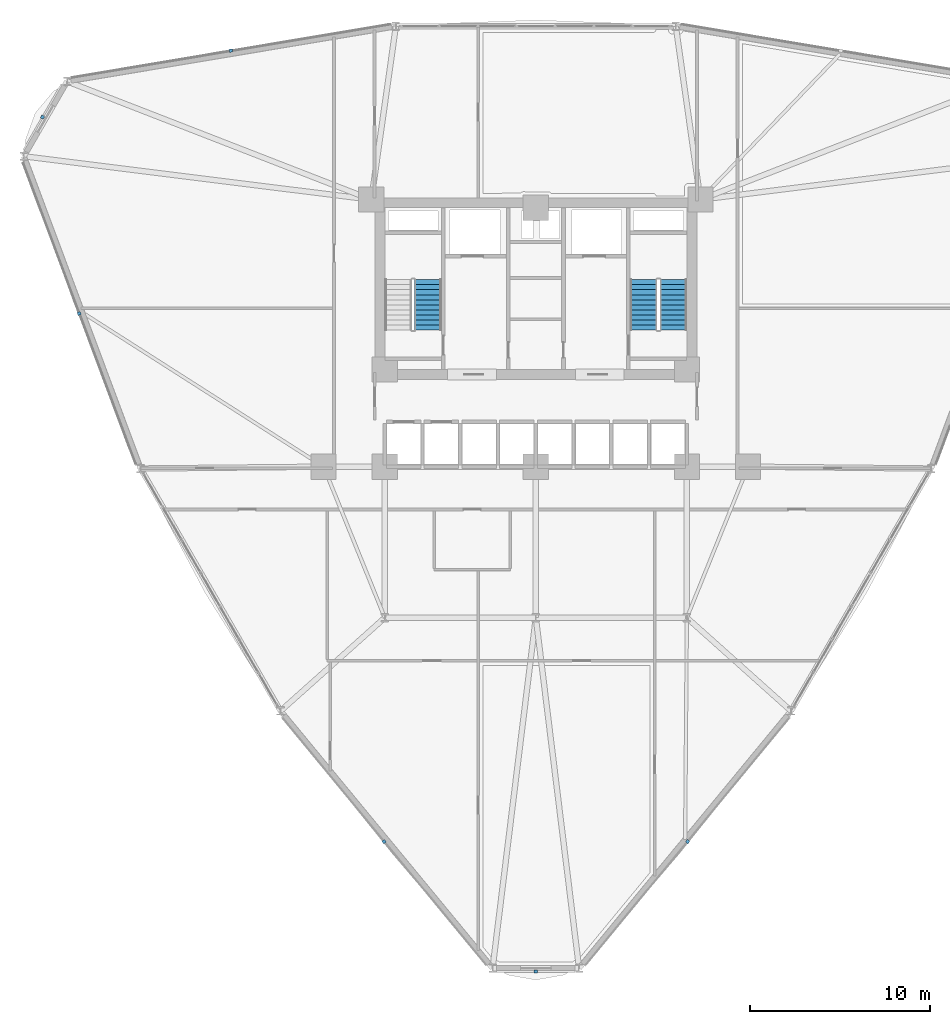
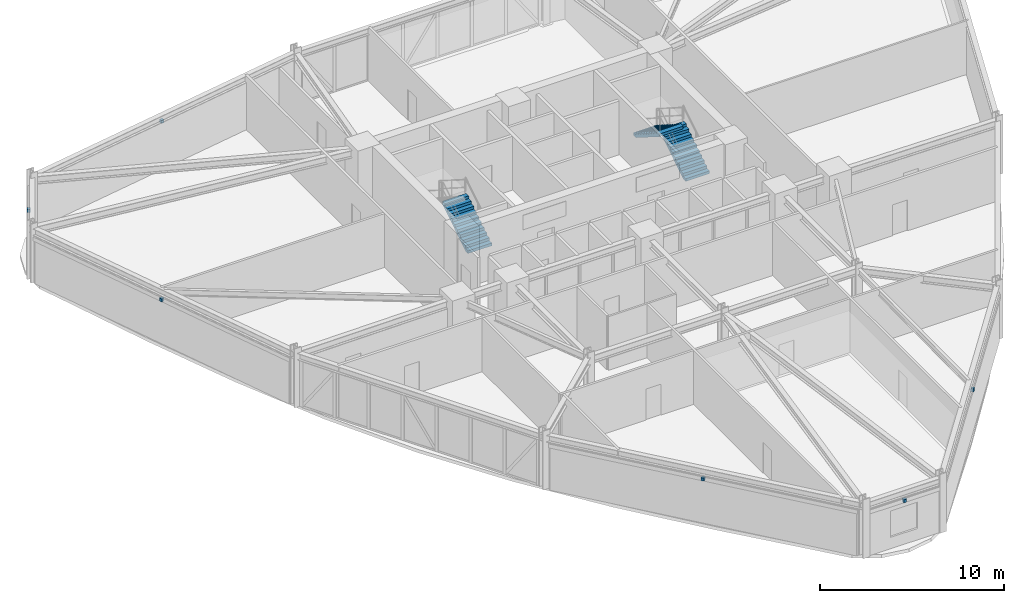
# One storey, part 18 of 22: 6 discrete accessories, 3 stair flights, 2 elements without a shape of their own.
"""IFC4 building model written with IfcOpenShell, lengths in metres."""

from ifc_helpers import new_model, si_unit, derived_unit, direction, frame, origin, origin_2d, place, context, subcontext, project, spatial, polyline, rectangle, outline, extrude, source, transform, mapped, material, type_object, element, aggregate, save


model = new_model("IFC4")

# Units and contexts
model_context = context("Model", 3, precision=1e-05, world=origin(), true_north=direction((0.0, 1.0)))
body_context = subcontext(model_context, "Body", "Model", "MODEL_VIEW")
ifc_project = project(units=[si_unit("LENGTHUNIT", "METRE"), si_unit("AREAUNIT", "SQUARE_METRE"), si_unit("VOLUMEUNIT", "CUBIC_METRE"), si_unit("PLANEANGLEUNIT", "RADIAN"), si_unit("MASSUNIT", "GRAM", prefix="KILO"), derived_unit("THERMALTRANSMITTANCEUNIT", [(si_unit("POWERUNIT", "WATT"), 1), (si_unit("LENGTHUNIT", "METRE"), -2), (si_unit("THERMODYNAMICTEMPERATUREUNIT", "KELVIN"), -1)])], contexts=[model_context])

# Site, building, storey
site_placement = place(None, origin())
site = spatial("IfcSite", under=ifc_project, at=site_placement, CompositionType="ELEMENT")
building_placement = place(site_placement, origin())
building = spatial("IfcBuilding", under=site, at=building_placement, Name="Korsvarv Bourse and Concert Hall", CompositionType="ELEMENT")
storey_placement = place(building_placement, frame((0.0, 0.0, 55.199951171875)))
storey = spatial("IfcBuildingStorey", under=building, at=storey_placement, Name="L13", CompositionType="ELEMENT", Elevation=55.199951171875)

# Stair, stair flight
ifc_material_1 = material(Name="Precast concrete C45/55", Category="concrete")
stair_type = type_object("IfcStairType", Name="STR-TYPE-03", PredefinedType="HALF_TURN_STAIR", material=ifc_material_1)
stair_1_placement = place(storey_placement, origin())
stair_1 = element("IfcStair", 1, at=stair_1_placement, inside=storey, type_object=stair_type, Name="L13 Tower West Exit Stair ST-T1", PredefinedType="HALF_TURN_STAIR")
stair_flight_type = type_object("IfcStairFlightType", Name="FLT-TYPE-03", PredefinedType="STRAIGHT", material=ifc_material_1)
stair_flight_1_placement = place(storey_placement, frame((30.010009765625, 40.0, 0.0), z_axis=(0.0, 0.0, 1.0), x_axis=(0.0, 1.0, 0.0)))
stair_flight_1 = element("IfcStairFlight", 2, at=stair_flight_1_placement, type_object=stair_flight_type, Name="ST-T1 flight 1", NumberOfRisers=11, NumberOfTreads=10, PredefinedType="STRAIGHT", RiserHeight=0.177272727, TreadLength=0.28, context=body_context, shape_type="SweptSolid", body=[
    extrude(outline(polyline([(0.0, 0.0), (0.0, 0.17724609375), (0.280029296875, 0.17724609375), (0.280029296875, 0.3544921875), (0.56005859375, 0.3544921875), (0.56005859375, 0.53173828125), (0.840087890625, 0.53173828125), (0.840087890625, 0.708984375), (1.1201171875, 0.708984375), (1.1201171875, 0.886474609375), (1.39990234375, 0.886474609375), (1.39990234375, 1.063720703125), (1.679931640625, 1.063720703125), (1.679931640625, 1.240966796875), (1.9599609375, 1.240966796875), (1.9599609375, 1.418212890625), (2.239990234375, 1.418212890625), (2.239990234375, 1.595458984375), (2.52001953125, 1.595458984375), (2.52001953125, 1.772705078125), (2.800048828125, 1.772705078125), (2.800048828125, 1.949951171875), (2.800048828125, 1.59521484375), (0.2802734375, 0.0), (0.0, 0.0)])), frame((0.0, 0.75, 0.0), z_axis=(0.0, -1.0, 0.0), x_axis=(1.0, 0.0, 0.0)), (0.0, 0.0, 1.0), 1.5),
])
aggregate(stair_1, [stair_flight_1])

# Stair, stair flights
stair_2_placement = place(storey_placement, origin())
stair_2 = element("IfcStair", 3, at=stair_2_placement, inside=storey, type_object=stair_type, Name="L13 Tower East Exit Stair ST-T2", PredefinedType="HALF_TURN_STAIR")
stair_flight_2_placement = place(storey_placement, frame((43.64990234375, 40.0, 0.0), z_axis=(0.0, 0.0, 1.0), x_axis=(0.0, 1.0, 0.0)))
stair_flight_2 = element("IfcStairFlight", 4, at=stair_flight_2_placement, type_object=stair_flight_type, Name="ST-T2 flight 1", NumberOfRisers=11, NumberOfTreads=10, PredefinedType="STRAIGHT", RiserHeight=0.177272727, TreadLength=0.28, context=body_context, shape_type="SweptSolid", body=[
    extrude(outline(polyline([(0.0, 0.0), (0.0, 0.17724609375), (0.280029296875, 0.17724609375), (0.280029296875, 0.3544921875), (0.56005859375, 0.3544921875), (0.56005859375, 0.53173828125), (0.840087890625, 0.53173828125), (0.840087890625, 0.708984375), (1.1201171875, 0.708984375), (1.1201171875, 0.886474609375), (1.39990234375, 0.886474609375), (1.39990234375, 1.063720703125), (1.679931640625, 1.063720703125), (1.679931640625, 1.240966796875), (1.9599609375, 1.240966796875), (1.9599609375, 1.418212890625), (2.239990234375, 1.418212890625), (2.239990234375, 1.595458984375), (2.52001953125, 1.595458984375), (2.52001953125, 1.772705078125), (2.800048828125, 1.772705078125), (2.800048828125, 1.949951171875), (2.800048828125, 1.59521484375), (0.2802734375, 0.0), (0.0, 0.0)])), frame((0.0, 0.75, 0.0), z_axis=(0.0, -1.0, 0.0), x_axis=(1.0, 0.0, 0.0)), (0.0, 0.0, 1.0), 1.5),
])
stair_flight_3_placement = place(storey_placement, frame((41.989990234375, 42.800048828125, 1.949951171875), z_axis=(0.0, 0.0, 1.0), x_axis=(0.0, -1.0, 0.0)))
stair_flight_3 = element("IfcStairFlight", 5, at=stair_flight_3_placement, type_object=stair_flight_type, Name="ST-T2 flight 2", NumberOfRisers=11, NumberOfTreads=10, PredefinedType="STRAIGHT", RiserHeight=0.177272727, TreadLength=0.28, context=body_context, shape_type="SweptSolid", body=[
    extrude(outline(polyline([(0.0, 0.0), (0.0, 0.17724609375), (0.280029296875, 0.17724609375), (0.280029296875, 0.3544921875), (0.56005859375, 0.3544921875), (0.56005859375, 0.53173828125), (0.840087890625, 0.53173828125), (0.840087890625, 0.708984375), (1.1201171875, 0.708984375), (1.1201171875, 0.886474609375), (1.39990234375, 0.886474609375), (1.39990234375, 1.063720703125), (1.679931640625, 1.063720703125), (1.679931640625, 1.240966796875), (1.9599609375, 1.240966796875), (1.9599609375, 1.418212890625), (2.239990234375, 1.418212890625), (2.239990234375, 1.595458984375), (2.52001953125, 1.595458984375), (2.52001953125, 1.772705078125), (2.800048828125, 1.772705078125), (2.800048828125, 1.949951171875), (2.800048828125, 1.59521484375), (0.2802734375, 0.0), (0.0, 0.0)])), frame((0.0, 0.75, 0.0), z_axis=(0.0, -1.0, 0.0), x_axis=(1.0, 0.0, 0.0)), (0.0, 0.0, 1.0), 1.5),
])
aggregate(stair_2, [stair_flight_2, stair_flight_3])

# Discrete accessories
ifc_material_2 = material(Name="Stainless Steel S355 facade outrigger bracket", Category="steel")
discrete_accessory_type = type_object("IfcDiscreteAccessoryType", Name="ACC-BRK-1", PredefinedType="BRACKET", material=ifc_material_2)
shared_shape = source(origin(), body_context, "Body", "SweptSolid", [
    extrude(rectangle(XDim=0.179931640625, YDim=0.179931640625, at=origin_2d()), origin(), (0.0, 0.0, 1.0), 0.199951171875),
])
for number, where, z_axis, x_axis, name in (
    (6, (19.043212890625, 55.53662109375, 2.85009765625), (0.0, 0.0, 1.0), (-0.986285601537, -0.165047605861, 0.0), "L13 terracotta sunshade bracket EW-L13-B04"),
    (7, (8.563720703125, 51.840576171875, 2.85009765625), (0.0, 0.0, 1.0), (-0.5, -0.866025403784, 0.0), "L13 terracotta sunshade bracket EW-L13-B05"),
    (8, (10.6025390625, 40.916748046875, 2.85009765625), (0.0, 0.0, 1.0), (0.350207381259, -0.936672189248, 0.0), "L13 terracotta sunshade bracket EW-L13-B06"),
    (9, (27.55908203125, 11.546875, 2.85009765625), (0.0, 0.0, 1.0), (0.636078220278, -0.771624583388, 0.0), "L13 terracotta sunshade bracket EW-L13-B08"),
    (10, (36.0, 4.319091796875, 2.85009765625), (0.0, 0.0, 1.0), (1.0, 0.0, 0.0), "L13 terracotta sunshade bracket EW-L13-B09"),
    (11, (44.44091796875, 11.546875, 2.85009765625), (0.0, 0.0, 1.0), (0.636078220278, 0.771624583388, 0.0), "L13 terracotta sunshade bracket EW-L13-B10"),
):
    element("IfcDiscreteAccessory", number, at=place(storey_placement, frame(where, z_axis=z_axis, x_axis=x_axis)), inside=storey, type_object=discrete_accessory_type, Name=name, PredefinedType="BRACKET", context=body_context, shape_type="MappedRepresentation", body=[
        mapped(shared_shape, transform((0.0, 0.0, 0.0), scale=1.0)),
    ])

save(model, "model.ifc")
